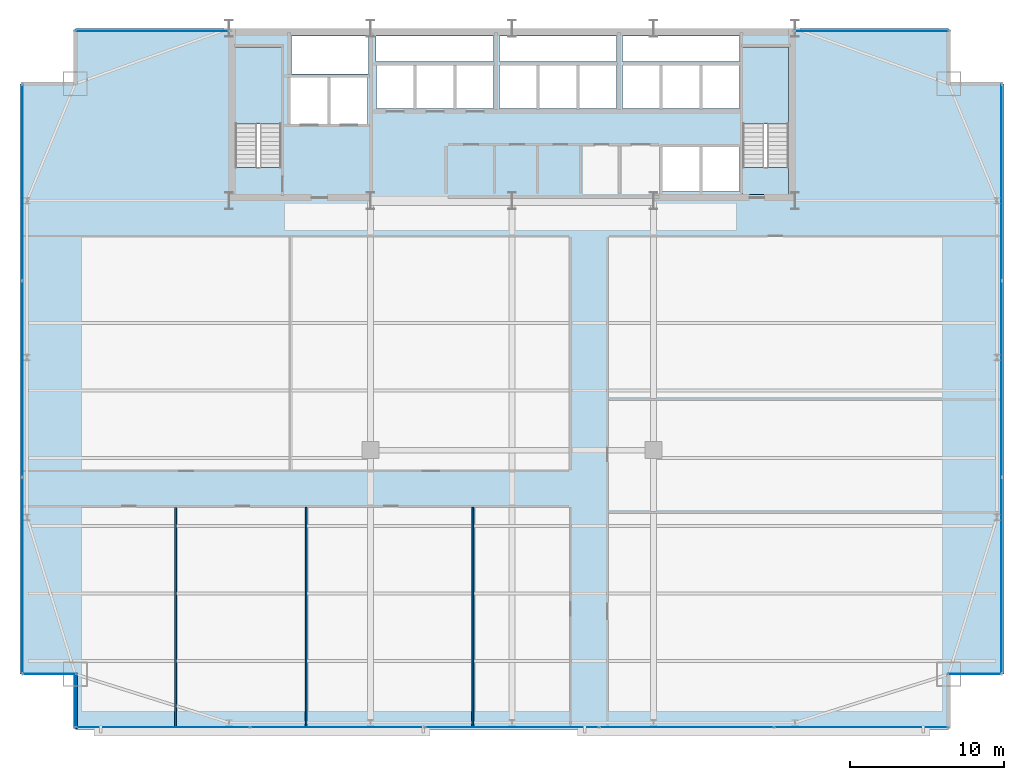
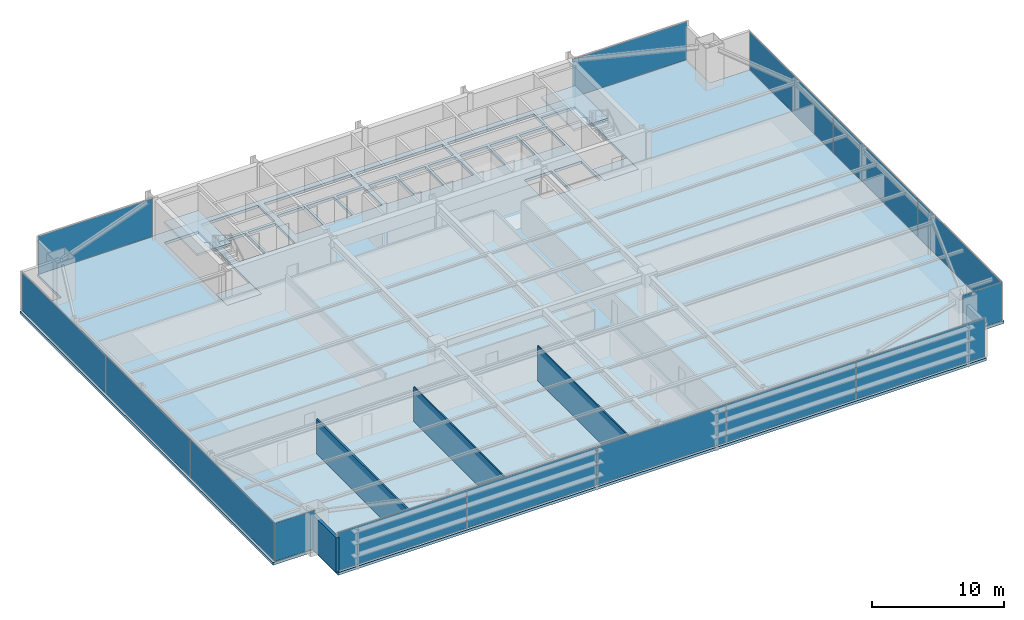
# One storey, part 25 of 30: 15 plates, 5 slabs, 4 walls, 9 elements without a shape of their own.
"""IFC4 building model written with IfcOpenShell, lengths in metres."""

from ifc_helpers import new_model, si_unit, direction, frame, frame_2d, origin, origin_2d, place, context, subcontext, project, spatial, polyline, rectangle, outline, extrude, source, transform, mapped, material, layer, layer_set, type_object, type_shapes, element, aggregate, save


model = new_model("IFC4")

# Units and contexts
model_context = context("Model", 3, precision=1e-05, world=origin(), true_north=direction((0.0, 1.0)))
body_context = subcontext(model_context, "Body", "Model", "MODEL_VIEW")
ifc_project = project(units=[si_unit("LENGTHUNIT", "METRE"), si_unit("AREAUNIT", "SQUARE_METRE"), si_unit("VOLUMEUNIT", "CUBIC_METRE"), si_unit("PLANEANGLEUNIT", "RADIAN"), si_unit("MASSUNIT", "GRAM", prefix="KILO")], contexts=[model_context])

# Site, building, storey
site_placement = place(None, origin())
site = spatial("IfcSite", under=ifc_project, at=site_placement, CompositionType="ELEMENT")
building_placement = place(site_placement, origin())
building = spatial("IfcBuilding", under=site, at=building_placement, Name="Varnel Quay Broadcast Tower", CompositionType="ELEMENT")
storey_placement = place(building_placement, frame((0.0, 0.0, 62.699951171875)))
storey = spatial("IfcBuildingStorey", under=building, at=storey_placement, Name="L14", CompositionType="ELEMENT", Elevation=62.699951171875)

# Slabs
ifc_material_1 = material(Name="Concrete CSA A23.3 C50/60", Category="concrete")
ifc_layer_1 = layer(ifc_material_1, 0.25, Name="Concrete CSA A23.3 C50/60")
ifc_layer_set_1 = layer_set([ifc_layer_1], Name="Concrete CSA A23.3 C50/60")
slab_type_1 = type_object("IfcSlabType", Name="Slab_Floor250", PredefinedType="FLOOR", material=ifc_layer_set_1)
slab_1_placement = place(storey_placement, frame((0.0, 0.0, -0.25)))
element("IfcSlab", 1, at=slab_1_placement, inside=storey, type_object=slab_type_1, Name="L14 Structural Slab", PredefinedType="FLOOR", context=body_context, shape_type="SweptSolid", body=[
    extrude(outline(polyline([(5.60009765625, 1.199951171875), (62.39990234375, 1.199951171875), (62.39990234375, 4.800048828125), (66.0, 4.800048828125), (66.0, 43.199951171875), (62.39990234375, 43.199951171875), (62.39990234375, 46.800048828125), (5.60009765625, 46.800048828125), (5.60009765625, 43.199951171875), (2.0, 43.199951171875), (2.0, 4.800048828125), (5.60009765625, 4.800048828125), (5.60009765625, 1.199951171875)]), holes=[polyline([(16.0, 36.0), (16.0, 45.60009765625), (19.0, 45.60009765625), (19.0, 36.0), (16.0, 36.0)]), polyline([(19.60009765625, 43.60009765625), (22.0, 43.60009765625), (22.0, 40.60009765625), (19.60009765625, 40.60009765625), (19.60009765625, 43.60009765625)]), polyline([(22.199951171875, 43.60009765625), (24.60009765625, 43.60009765625), (24.60009765625, 40.60009765625), (22.199951171875, 40.60009765625), (22.199951171875, 43.60009765625)]), polyline([(25.199951171875, 44.39990234375), (27.60009765625, 44.39990234375), (27.60009765625, 41.60009765625), (25.199951171875, 41.60009765625), (25.199951171875, 44.39990234375)]), polyline([(27.800048828125, 44.39990234375), (30.199951171875, 44.39990234375), (30.199951171875, 41.60009765625), (27.800048828125, 41.60009765625), (27.800048828125, 44.39990234375)]), polyline([(30.39990234375, 44.39990234375), (32.800048828125, 44.39990234375), (32.800048828125, 41.60009765625), (30.39990234375, 41.60009765625), (30.39990234375, 44.39990234375)]), polyline([(33.199951171875, 44.39990234375), (35.60009765625, 44.39990234375), (35.60009765625, 41.60009765625), (33.199951171875, 41.60009765625), (33.199951171875, 44.39990234375)]), polyline([(38.199951171875, 44.39990234375), (38.199951171875, 41.60009765625), (35.800048828125, 41.60009765625), (35.800048828125, 44.39990234375), (38.199951171875, 44.39990234375)]), polyline([(24.679931640625, 46.300048828125), (24.679931640625, 43.85009765625), (19.64990234375, 43.85009765625), (19.64990234375, 46.300048828125), (24.679931640625, 46.300048828125)]), polyline([(25.14990234375, 46.300048828125), (32.800048828125, 46.300048828125), (32.800048828125, 44.64990234375), (25.14990234375, 44.64990234375), (25.14990234375, 46.300048828125)]), polyline([(43.800048828125, 39.10009765625), (46.199951171875, 39.10009765625), (46.199951171875, 36.199951171875), (43.800048828125, 36.199951171875), (43.800048828125, 39.10009765625)]), polyline([(46.39990234375, 39.10009765625), (48.800048828125, 39.10009765625), (48.800048828125, 36.199951171875), (46.39990234375, 36.199951171875), (46.39990234375, 39.10009765625)]), polyline([(49.0, 45.60009765625), (52.0, 45.60009765625), (52.0, 36.0), (49.0, 36.0), (49.0, 45.60009765625)]), polyline([(40.800048828125, 44.39990234375), (40.800048828125, 41.60009765625), (38.39990234375, 41.60009765625), (38.39990234375, 44.39990234375), (40.800048828125, 44.39990234375)]), polyline([(41.199951171875, 44.39990234375), (43.60009765625, 44.39990234375), (43.60009765625, 41.60009765625), (41.199951171875, 41.60009765625), (41.199951171875, 44.39990234375)]), polyline([(43.800048828125, 44.39990234375), (46.199951171875, 44.39990234375), (46.199951171875, 41.60009765625), (43.800048828125, 41.60009765625), (43.800048828125, 44.39990234375)]), polyline([(46.39990234375, 44.39990234375), (48.800048828125, 44.39990234375), (48.800048828125, 41.60009765625), (46.39990234375, 41.60009765625), (46.39990234375, 44.39990234375)]), polyline([(40.800048828125, 46.300048828125), (40.800048828125, 44.64990234375), (33.199951171875, 44.64990234375), (33.199951171875, 46.300048828125), (40.800048828125, 46.300048828125)]), polyline([(48.800048828125, 46.300048828125), (48.800048828125, 44.64990234375), (41.199951171875, 44.64990234375), (41.199951171875, 46.300048828125), (48.800048828125, 46.300048828125)])]), origin(), (0.0, 0.0, 1.0), 0.25),
])
ifc_layer_2 = layer(ifc_material_1, 0.25, Name="Concrete CSA A23.3 C50/60")
ifc_layer_set_2 = layer_set([ifc_layer_2], Name="Concrete CSA A23.3 C50/60")
slab_type_2 = type_object("IfcSlabType", Name="Slab_StairFloorLanding250", PredefinedType="FLOOR", material=ifc_layer_set_2)
slab_2_placement = place(storey_placement, frame((0.0, 0.0, -0.25)))
element("IfcSlab", 2, at=slab_2_placement, inside=storey, type_object=slab_type_2, Name="L14 ST-01 Structural Floor Landing Slab", PredefinedType="FLOOR", context=body_context, shape_type="SweptSolid", body=[
    extrude(outline(polyline([(19.0, 36.0), (19.0, 37.75), (16.0, 37.75), (16.0, 36.0), (19.0, 36.0)])), origin(), (0.0, 0.0, 1.0), 0.25),
])
slab_3_placement = place(storey_placement, frame((0.0, 0.0, -0.25)))
element("IfcSlab", 3, at=slab_3_placement, inside=storey, type_object=slab_type_2, Name="L14 ST-02 Structural Floor Landing Slab", PredefinedType="FLOOR", context=body_context, shape_type="SweptSolid", body=[
    extrude(outline(polyline([(52.0, 36.0), (52.0, 37.75), (49.0, 37.75), (49.0, 36.0), (52.0, 36.0)])), origin(), (0.0, 0.0, 1.0), 0.25),
])

# Stair, slab
ifc_material_2 = material(Name="Precast Structural Concrete C40/50", Category="concrete")
stair_type_1 = type_object("IfcStairType", Name="Stair_ST-01", PredefinedType="HALF_TURN_STAIR", material=ifc_material_2)
stair_1_placement = place(storey_placement, origin())
stair_1 = element("IfcStair", 4, at=stair_1_placement, inside=storey, type_object=stair_type_1, Name="L14 West Core Exit Stair 1", PredefinedType="HALF_TURN_STAIR")
ifc_layer_3 = layer(ifc_material_2, 0.199951171875, Name="Precast Structural Concrete C40/50")
ifc_layer_set_3 = layer_set([ifc_layer_3], Name="Precast Structural Concrete C40/50")
slab_type_3 = type_object("IfcSlabType", Name="Slab_StairLanding200", PredefinedType="LANDING", material=ifc_layer_set_3)
slab_4_placement = place(storey_placement, frame((0.0, 0.0, 1.75)))
slab_4 = element("IfcSlab", 5, at=slab_4_placement, type_object=slab_type_3, Name="ST-01 landing 1", PredefinedType="LANDING", context=body_context, shape_type="SweptSolid", body=[
    extrude(outline(polyline([(19.0, 40.60009765625), (19.0, 45.60009765625), (16.0, 45.60009765625), (16.0, 40.60009765625), (19.0, 40.60009765625)])), origin(), (0.0, 0.0, 1.0), 0.199951171875),
])
aggregate(stair_1, [slab_4])

stair_type_2 = type_object("IfcStairType", Name="Stair_ST-02", PredefinedType="HALF_TURN_STAIR", material=ifc_material_2)
stair_2_placement = place(storey_placement, origin())
stair_2 = element("IfcStair", 6, at=stair_2_placement, inside=storey, type_object=stair_type_2, Name="L14 East Core Exit Stair 2", PredefinedType="HALF_TURN_STAIR")
slab_5_placement = place(storey_placement, frame((0.0, 0.0, 1.75)))
slab_5 = element("IfcSlab", 7, at=slab_5_placement, type_object=slab_type_3, Name="ST-02 landing 1", PredefinedType="LANDING", context=body_context, shape_type="SweptSolid", body=[
    extrude(outline(polyline([(52.0, 40.60009765625), (52.0, 45.60009765625), (49.0, 45.60009765625), (49.0, 40.60009765625), (52.0, 40.60009765625)])), origin(), (0.0, 0.0, 1.0), 0.199951171875),
])
aggregate(stair_2, [slab_5])

# Curtain wall, plate
ifc_material_3 = material(Name="Anodised Bronze Aluminium 6063-T6", Category="aluminium")
ifc_layer_4 = layer(ifc_material_3, 0.18994140625, Name="Anodised Bronze Aluminium 6063-T6")
ifc_layer_set_4 = layer_set([ifc_layer_4], Name="Anodised Bronze Aluminium 6063-T6")
curtain_wall_type_1 = type_object("IfcCurtainWallType", Name="CW_LowerTower", PredefinedType="NOTDEFINED", material=ifc_layer_set_4)
curtain_wall_1_placement = place(storey_placement, origin())
curtain_wall_1 = element("IfcCurtainWall", 8, at=curtain_wall_1_placement, inside=storey, type_object=curtain_wall_type_1, Name="L14 West Unitised Curtain Wall", PredefinedType="NOTDEFINED")
ifc_material_4 = material(Name="Insulated Bronze Spandrel Glass", Category="glass")
ifc_layer_5 = layer(ifc_material_4, 0.031982421875, Name="Insulated Bronze Spandrel Glass")
ifc_layer_set_5 = layer_set([ifc_layer_5], Name="Insulated Bronze Spandrel Glass")
plate_type_1 = type_object("IfcPlateType", Name="PanelSp_CWS-02", PredefinedType="CURTAIN_PANEL", material=ifc_layer_set_5)
shared_shape_1 = source(origin(), body_context, "Body", "SweptSolid", [
    extrude(rectangle(XDim=12.695068359375, YDim=0.031982421875, at=origin_2d()), origin(), (0.0, 0.0, 1.0), 3.530029296875),
])
plate_1_placement = place(storey_placement, frame((2.14990234375, 36.782470703125, 0.06005859375), z_axis=(0.0, 0.0, 1.0), x_axis=(0.0, 1.0, 0.0)))
plate_1 = element("IfcPlate", 9, at=plate_1_placement, type_object=plate_type_1, Name="CWS-02 panel 3.1", PredefinedType="CURTAIN_PANEL", context=body_context, shape_type="MappedRepresentation", body=[
    mapped(shared_shape_1, transform((0.0, 0.0, 0.0), x_axis=(1.0, 0.0, 0.0), y_axis=(0.0, 1.0, 0.0), z_axis=(0.0, 0.0, 1.0), scale=1.0)),
])

curtain_wall_2_placement = place(storey_placement, origin())
curtain_wall_2 = element("IfcCurtainWall", 10, at=curtain_wall_2_placement, inside=storey, type_object=curtain_wall_type_1, Name="L14 East Unitised Curtain Wall", PredefinedType="NOTDEFINED")
plate_2_placement = place(storey_placement, frame((65.85009765625, 36.782470703125, 0.06005859375), z_axis=(0.0, 0.0, 1.0), x_axis=(0.0, 1.0, 0.0)))
plate_2 = element("IfcPlate", 11, at=plate_2_placement, type_object=plate_type_1, Name="CWS-02 panel 3.1", PredefinedType="CURTAIN_PANEL", context=body_context, shape_type="MappedRepresentation", body=[
    mapped(shared_shape_1, transform((0.0, 0.0, 0.0), x_axis=(1.0, 0.0, 0.0), y_axis=(0.0, 1.0, 0.0), z_axis=(0.0, 0.0, 1.0), scale=1.0)),
])

# Plate
shared_shape_2 = source(origin(), body_context, "Body", "SweptSolid", [
    extrude(rectangle(XDim=12.72998046875, YDim=0.031982421875, at=origin_2d()), origin(), (0.0, 0.0, 1.0), 3.530029296875),
])
plate_3_placement = place(storey_placement, frame((2.14990234375, 24.0, 0.06005859375), z_axis=(0.0, 0.0, 1.0), x_axis=(0.0, 1.0, 0.0)))
plate_3 = element("IfcPlate", 12, at=plate_3_placement, type_object=plate_type_1, Name="CWS-02 panel 2.1", PredefinedType="CURTAIN_PANEL", context=body_context, shape_type="MappedRepresentation", body=[
    mapped(shared_shape_2, transform((0.0, 0.0, 0.0), x_axis=(1.0, 0.0, 0.0), y_axis=(0.0, 1.0, 0.0), z_axis=(0.0, 0.0, 1.0), scale=1.0)),
])

plate_4_placement = place(storey_placement, frame((65.85009765625, 24.0, 0.06005859375), z_axis=(0.0, 0.0, 1.0), x_axis=(0.0, 1.0, 0.0)))
plate_4 = element("IfcPlate", 13, at=plate_4_placement, type_object=plate_type_1, Name="CWS-02 panel 2.1", PredefinedType="CURTAIN_PANEL", context=body_context, shape_type="MappedRepresentation", body=[
    mapped(shared_shape_2, transform((0.0, 0.0, 0.0), x_axis=(1.0, 0.0, 0.0), y_axis=(0.0, 1.0, 0.0), z_axis=(0.0, 0.0, 1.0), scale=1.0)),
])

# Curtain wall, plate
ifc_layer_6 = layer(ifc_material_3, 0.18994140625, Name="Anodised Bronze Aluminium 6063-T6")
ifc_layer_set_6 = layer_set([ifc_layer_6], Name="Anodised Bronze Aluminium 6063-T6")
curtain_wall_type_2 = type_object("IfcCurtainWallType", Name="CW_NotchCorner", PredefinedType="NOTDEFINED", material=ifc_layer_set_6)
curtain_wall_3_placement = place(storey_placement, origin())
curtain_wall_3 = element("IfcCurtainWall", 14, at=curtain_wall_3_placement, inside=storey, type_object=curtain_wall_type_2, Name="L14 SW Notch Curtain Wall", PredefinedType="NOTDEFINED")
ifc_material_5 = material(Name="Triple-Glazed Bronze Low-E Architectural Glass", Category="glass")
ifc_layer_7 = layer(ifc_material_5, 0.028076171875, Name="Triple-Glazed Bronze Low-E Architectural Glass")
ifc_layer_set_7 = layer_set([ifc_layer_7], Name="Triple-Glazed Bronze Low-E Architectural Glass")
plate_type_2 = type_object("IfcPlateType", Name="Panel_CWS-04", PredefinedType="CURTAIN_PANEL", material=ifc_layer_set_7)
shared_shape_3 = source(origin(), body_context, "Body", "SweptSolid", [
    extrude(rectangle(XDim=3.409912109375, YDim=0.028076171875, at=origin_2d()), origin(), (0.0, 0.0, 1.0), 3.5400390625),
])
type_shapes(plate_type_2, [shared_shape_3])
plate_5_placement = place(storey_placement, frame((3.9150390625, 4.800048828125, 0.054931640625), z_axis=(0.0, 0.0, 1.0), x_axis=(1.0, 0.0, 0.0)))
plate_5 = element("IfcPlate", 15, at=plate_5_placement, type_object=plate_type_2, Name="CWS-04 panel 1.1", PredefinedType="CURTAIN_PANEL", context=body_context, shape_type="MappedRepresentation", body=[
    mapped(shared_shape_3, transform((0.0, 0.0, 0.0), x_axis=(1.0, 0.0, 0.0), y_axis=(0.0, 1.0, 0.0), z_axis=(0.0, 0.0, 1.0), scale=1.0)),
])
aggregate(curtain_wall_3, [plate_5])

curtain_wall_4_placement = place(storey_placement, origin())
curtain_wall_4 = element("IfcCurtainWall", 16, at=curtain_wall_4_placement, inside=storey, type_object=curtain_wall_type_2, Name="L14 SE Notch Curtain Wall", PredefinedType="NOTDEFINED")
plate_6_placement = place(storey_placement, frame((64.0849609375, 4.800048828125, 0.054931640625), z_axis=(0.0, 0.0, 1.0), x_axis=(1.0, 0.0, 0.0)))
plate_6 = element("IfcPlate", 17, at=plate_6_placement, type_object=plate_type_2, Name="CWS-04 panel 1.1", PredefinedType="CURTAIN_PANEL", context=body_context, shape_type="MappedRepresentation", body=[
    mapped(shared_shape_3, transform((0.0, 0.0, 0.0), x_axis=(1.0, 0.0, 0.0), y_axis=(0.0, 1.0, 0.0), z_axis=(0.0, 0.0, 1.0), scale=1.0)),
])
aggregate(curtain_wall_4, [plate_6])

curtain_wall_5_placement = place(storey_placement, origin())
curtain_wall_5 = element("IfcCurtainWall", 18, at=curtain_wall_5_placement, inside=storey, type_object=curtain_wall_type_1, Name="L14 NW Wing Curtain Wall", PredefinedType="NOTDEFINED")
ifc_layer_8 = layer(ifc_material_5, 0.031982421875, Name="Triple-Glazed Bronze Low-E Architectural Glass")
ifc_layer_set_8 = layer_set([ifc_layer_8], Name="Triple-Glazed Bronze Low-E Architectural Glass")
plate_type_3 = type_object("IfcPlateType", Name="Panel_CWS-02", PredefinedType="CURTAIN_PANEL", material=ifc_layer_set_8)
shared_shape_4 = source(origin(), body_context, "Body", "SweptSolid", [
    extrude(rectangle(XDim=10.0400390625, YDim=0.031982421875, at=origin_2d()), origin(), (0.0, 0.0, 1.0), 3.530029296875),
])
plate_7_placement = place(storey_placement, frame((10.610107421875, 46.64990234375, 0.06005859375), z_axis=(0.0, 0.0, 1.0), x_axis=(1.0, 0.0, 0.0)))
plate_7 = element("IfcPlate", 19, at=plate_7_placement, type_object=plate_type_3, Name="CWS-02 panel 1.1", PredefinedType="CURTAIN_PANEL", context=body_context, shape_type="MappedRepresentation", body=[
    mapped(shared_shape_4, transform((0.0, 0.0, 0.0), x_axis=(1.0, 0.0, 0.0), y_axis=(0.0, 1.0, 0.0), z_axis=(0.0, 0.0, 1.0), scale=1.0)),
])
aggregate(curtain_wall_5, [plate_7])

curtain_wall_6_placement = place(storey_placement, origin())
curtain_wall_6 = element("IfcCurtainWall", 20, at=curtain_wall_6_placement, inside=storey, type_object=curtain_wall_type_1, Name="L14 NE Wing Curtain Wall", PredefinedType="NOTDEFINED")
plate_8_placement = place(storey_placement, frame((57.389892578125, 46.64990234375, 0.06005859375), z_axis=(0.0, 0.0, 1.0), x_axis=(1.0, 0.0, 0.0)))
plate_8 = element("IfcPlate", 21, at=plate_8_placement, type_object=plate_type_3, Name="CWS-02 panel 1.1", PredefinedType="CURTAIN_PANEL", context=body_context, shape_type="MappedRepresentation", body=[
    mapped(shared_shape_4, transform((0.0, 0.0, 0.0), x_axis=(1.0, 0.0, 0.0), y_axis=(0.0, 1.0, 0.0), z_axis=(0.0, 0.0, 1.0), scale=1.0)),
])
aggregate(curtain_wall_6, [plate_8])

# Curtain wall, plates
curtain_wall_7_placement = place(storey_placement, origin())
curtain_wall_7 = element("IfcCurtainWall", 22, at=curtain_wall_7_placement, inside=storey, type_object=curtain_wall_type_1, Name="L14 South Unitised Curtain Wall 1", PredefinedType="NOTDEFINED")
shared_shape_5 = source(origin(), body_context, "Body", "SweptSolid", [
    extrude(rectangle(XDim=11.2548828125, YDim=0.031982421875, at=origin_2d()), origin(), (0.0, 0.0, 1.0), 3.530029296875),
])
plate_9_placement = place(storey_placement, frame((11.297607421875, 1.35009765625, 0.06005859375), z_axis=(0.0, 0.0, 1.0), x_axis=(1.0, 0.0, 0.0)))
plate_9 = element("IfcPlate", 23, at=plate_9_placement, type_object=plate_type_3, Name="CWS-02 panel 1.1", PredefinedType="CURTAIN_PANEL", context=body_context, shape_type="MappedRepresentation", body=[
    mapped(shared_shape_5, transform((0.0, 0.0, 0.0), x_axis=(1.0, 0.0, 0.0), y_axis=(0.0, 1.0, 0.0), z_axis=(0.0, 0.0, 1.0), scale=1.0)),
])
plate_10_placement = place(storey_placement, frame((56.702392578125, 1.35009765625, 0.06005859375), z_axis=(0.0, 0.0, 1.0), x_axis=(1.0, 0.0, 0.0)))
plate_10 = element("IfcPlate", 24, at=plate_10_placement, type_object=plate_type_3, Name="CWS-02 panel 5.1", PredefinedType="CURTAIN_PANEL", context=body_context, shape_type="MappedRepresentation", body=[
    mapped(shared_shape_5, transform((0.0, 0.0, 0.0), x_axis=(1.0, 0.0, 0.0), y_axis=(0.0, 1.0, 0.0), z_axis=(0.0, 0.0, 1.0), scale=1.0)),
])
shared_shape_6 = source(origin(), body_context, "Body", "SweptSolid", [
    extrude(rectangle(XDim=11.2900390625, YDim=0.031982421875, at=origin_2d()), origin(), (0.0, 0.0, 1.0), 3.530029296875),
])
type_shapes(plate_type_1, [shared_shape_1, shared_shape_2, shared_shape_6])
plate_11_placement = place(storey_placement, frame((22.639892578125, 1.35009765625, 0.06005859375), z_axis=(0.0, 0.0, 1.0), x_axis=(1.0, 0.0, 0.0)))
plate_11 = element("IfcPlate", 25, at=plate_11_placement, type_object=plate_type_1, Name="CWS-02 panel 2.1", PredefinedType="CURTAIN_PANEL", context=body_context, shape_type="MappedRepresentation", body=[
    mapped(shared_shape_6, transform((0.0, 0.0, 0.0), x_axis=(1.0, 0.0, 0.0), y_axis=(0.0, 1.0, 0.0), z_axis=(0.0, 0.0, 1.0), scale=1.0)),
])
plate_12_placement = place(storey_placement, frame((34.0, 1.35009765625, 0.06005859375), z_axis=(0.0, 0.0, 1.0), x_axis=(1.0, 0.0, 0.0)))
plate_12 = element("IfcPlate", 26, at=plate_12_placement, type_object=plate_type_1, Name="CWS-02 panel 3.1", PredefinedType="CURTAIN_PANEL", context=body_context, shape_type="MappedRepresentation", body=[
    mapped(shared_shape_6, transform((0.0, 0.0, 0.0), x_axis=(1.0, 0.0, 0.0), y_axis=(0.0, 1.0, 0.0), z_axis=(0.0, 0.0, 1.0), scale=1.0)),
])
plate_13_placement = place(storey_placement, frame((45.360107421875, 1.35009765625, 0.06005859375), z_axis=(0.0, 0.0, 1.0), x_axis=(1.0, 0.0, 0.0)))
plate_13 = element("IfcPlate", 27, at=plate_13_placement, type_object=plate_type_1, Name="CWS-02 panel 4.1", PredefinedType="CURTAIN_PANEL", context=body_context, shape_type="MappedRepresentation", body=[
    mapped(shared_shape_6, transform((0.0, 0.0, 0.0), x_axis=(1.0, 0.0, 0.0), y_axis=(0.0, 1.0, 0.0), z_axis=(0.0, 0.0, 1.0), scale=1.0)),
])
aggregate(curtain_wall_7, [plate_9, plate_11, plate_12, plate_13, plate_10])

# Plate
shared_shape_7 = source(origin(), body_context, "Body", "SweptSolid", [
    extrude(rectangle(XDim=12.695068359375, YDim=0.031982421875, at=origin_2d()), origin(), (0.0, 0.0, 1.0), 3.530029296875),
])
type_shapes(plate_type_3, [shared_shape_4, shared_shape_5, shared_shape_7])
plate_14_placement = place(storey_placement, frame((2.14990234375, 11.217529296875, 0.06005859375), z_axis=(0.0, 0.0, 1.0), x_axis=(0.0, 1.0, 0.0)))
plate_14 = element("IfcPlate", 28, at=plate_14_placement, type_object=plate_type_3, Name="CWS-02 panel 1.1", PredefinedType="CURTAIN_PANEL", context=body_context, shape_type="MappedRepresentation", body=[
    mapped(shared_shape_7, transform((0.0, 0.0, 0.0), x_axis=(1.0, 0.0, 0.0), y_axis=(0.0, 1.0, 0.0), z_axis=(0.0, 0.0, 1.0), scale=1.0)),
])

aggregate(curtain_wall_1, [plate_14, plate_3, plate_1])

plate_15_placement = place(storey_placement, frame((65.85009765625, 11.217529296875, 0.06005859375), z_axis=(0.0, 0.0, 1.0), x_axis=(0.0, 1.0, 0.0)))
plate_15 = element("IfcPlate", 29, at=plate_15_placement, type_object=plate_type_3, Name="CWS-02 panel 1.1", PredefinedType="CURTAIN_PANEL", context=body_context, shape_type="MappedRepresentation", body=[
    mapped(shared_shape_7, transform((0.0, 0.0, 0.0), x_axis=(1.0, 0.0, 0.0), y_axis=(0.0, 1.0, 0.0), z_axis=(0.0, 0.0, 1.0), scale=1.0)),
])

aggregate(curtain_wall_2, [plate_15, plate_4, plate_2])

# Walls
ifc_material_6 = material(Name="Precast Architectural Concrete C40/50", Category="concrete")
ifc_layer_9 = layer(ifc_material_6, 0.25, Name="Precast Architectural Concrete C40/50")
ifc_layer_set_9 = layer_set([ifc_layer_9], Name="Precast Architectural Concrete C40/50")
wall_type_1 = type_object("IfcWallType", Name="Wall_ExtTerrace250", PredefinedType="SOLIDWALL", material=ifc_layer_set_9)
wall_1_placement = place(storey_placement, frame((5.60009765625, 1.280029296875, 0.0), z_axis=(0.0, 0.0, 1.0), x_axis=(0.0, 1.0, 0.0)))
element("IfcWall", 30, at=wall_1_placement, inside=storey, type_object=wall_type_1, Name="L14 Mega-Column Notch Cladding Wall NSW2", PredefinedType="SOLIDWALL", context=body_context, shape_type="SweptSolid", body=[
    extrude(rectangle(XDim=3.599853515625, YDim=0.25, at=frame_2d((1.7998046875, 0.0))), origin(), (0.0, 0.0, 1.0), 3.2080078125),
])
ifc_material_7 = material(Name="Steel-Stud Fire-Rated Acoustic Gypsum Partition Assembly", Category="steel")
ifc_layer_10 = layer(ifc_material_7, 0.10498046875, Name="Steel-Stud Fire-Rated Acoustic Gypsum Partition Assembly")
ifc_layer_set_10 = layer_set([ifc_layer_10], Name="Steel-Stud Fire-Rated Acoustic Gypsum Partition Assembly")
wall_type_2 = type_object("IfcWallType", Name="Wall_Partition105", PredefinedType="PARTITIONING", material=ifc_layer_set_10)
for number, where, z_axis, x_axis, name in (
    (31, (20.610107421875, 1.3798828125, 0.0), (0.0, 0.0, 1.0), (0.0, 1.0, 0.0), "L14 Media Tape Archive Store 2 Partition 10"),
    (32, (31.449951171875, 1.3798828125, 0.0), (0.0, 0.0, 1.0), (0.0, 1.0, 0.0), "L14 Lens & Rigging Store 3 Partition 11"),
):
    element("IfcWall", number, at=place(storey_placement, frame(where, z_axis=z_axis, x_axis=x_axis)), inside=storey, type_object=wall_type_2, Name=name, PredefinedType="PARTITIONING", context=body_context, shape_type="SweptSolid", body=[
        extrude(rectangle(XDim=14.26513671875, YDim=0.10498046875, at=frame_2d((7.132568359375, 0.0))), origin(), (0.0, 0.0, 1.0), 3.2080078125),
    ])
ifc_layer_11 = layer(ifc_material_7, 0.14990234375, Name="Steel-Stud Fire-Rated Acoustic Gypsum Partition Assembly")
ifc_layer_set_11 = layer_set([ifc_layer_11], Name="Steel-Stud Fire-Rated Acoustic Gypsum Partition Assembly")
wall_type_3 = type_object("IfcWallType", Name="Wall_Partition150", PredefinedType="PARTITIONING", material=ifc_layer_set_11)
wall_2_placement = place(storey_placement, frame((12.110107421875, 1.3798828125, 0.0), z_axis=(0.0, 0.0, 1.0), x_axis=(0.0, 1.0, 0.0)))
element("IfcWall", 33, at=wall_2_placement, inside=storey, type_object=wall_type_3, Name="L14 Tea Kitchen 1 Partition 8", PredefinedType="PARTITIONING", context=body_context, shape_type="SweptSolid", body=[
    extrude(rectangle(XDim=14.26513671875, YDim=0.14990234375, at=frame_2d((7.132568359375, 0.0))), origin(), (0.0, 0.0, 1.0), 3.2080078125),
])

save(model, "model.ifc")
